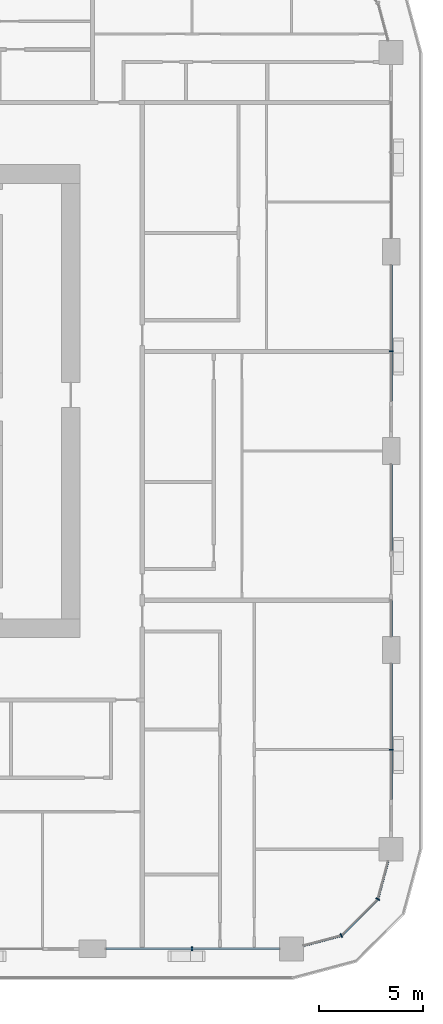
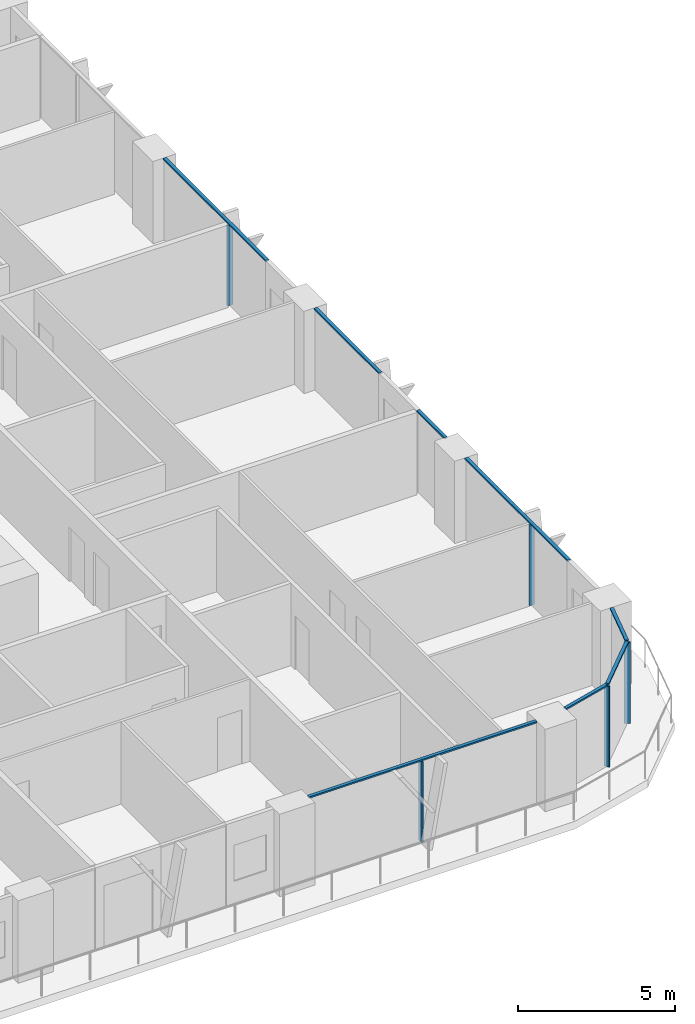
# One storey, part 4 of 22: 13 members, 5 elements without a shape of their own.
"""IFC4 building model written with IfcOpenShell, lengths in metres."""

from ifc_helpers import new_model, si_unit, direction, frame, origin, origin_2d, place, context, subcontext, project, spatial, rectangle, extrude, material, layer, layer_set, material_profile, profile_set, type_object, element, aggregate, save


model = new_model("IFC4")

# Units and contexts
model_context = context("Model", 3, precision=1e-05, world=origin(), true_north=direction((0.0, 1.0)))
body_context = subcontext(model_context, "Body", "Model", "MODEL_VIEW")
ifc_project = project(units=[si_unit("LENGTHUNIT", "METRE"), si_unit("AREAUNIT", "SQUARE_METRE"), si_unit("VOLUMEUNIT", "CUBIC_METRE"), si_unit("PLANEANGLEUNIT", "RADIAN"), si_unit("MASSUNIT", "GRAM", prefix="KILO")], contexts=[model_context])

# Site, building, storey
site_placement = place(None, origin())
site = spatial("IfcSite", under=ifc_project, at=site_placement, CompositionType="ELEMENT")
building_placement = place(site_placement, origin())
building = spatial("IfcBuilding", under=site, at=building_placement, Name="Madar Terraces", CompositionType="ELEMENT")
storey_placement = place(building_placement, frame((0.0, 0.0, 66.300048828125)))
storey = spatial("IfcBuildingStorey", under=building, at=storey_placement, Name="L16", CompositionType="ELEMENT", Elevation=66.300048828125)

# Curtain wall, member
ifc_material_1 = material(Name="Glass, ceramic frit dark grey, with black aluminium frame", Category="aluminium")
ifc_layer = layer(ifc_material_1, 0.199951171875)
ifc_layer_set = layer_set([ifc_layer], Name="Facade curtain wall, fritted glass")
curtain_wall_type = type_object("IfcCurtainWallType", Name="Facade curtain wall, fritted glass", PredefinedType="NOTDEFINED", material=ifc_layer_set)
curtain_wall_1_placement = place(storey_placement, origin())
curtain_wall_1 = element("IfcCurtainWall", 1, at=curtain_wall_1_placement, inside=storey, type_object=curtain_wall_type, Name="Outer skin curtain wall south bay 5", PredefinedType="NOTDEFINED")
ifc_material_2 = material(Name="Aluminium, black anodised", Category="aluminium")
ifc_material_profile_1 = material_profile(ifc_material_2, rectangle(XDim=0.199951171875, YDim=0.06005859375, at=origin_2d()), Name="Facade mullion 60x200")
ifc_profile_set_1 = profile_set([ifc_material_profile_1], Name="Aluminium, black anodised")
member_type_1 = type_object("IfcMemberType", Name="Facade mullion 60x200", PredefinedType="MULLION", material=ifc_profile_set_1)
member_1_placement = place(storey_placement, frame((52.800048828125, 0.0, 0.0), z_axis=(0.0, 0.0, 1.0), x_axis=(0.0, 1.0, 0.0)))
member_1 = element("IfcMember", 2, at=member_1_placement, type_object=member_type_1, Name="Mullion 1", PredefinedType="MULLION", context=body_context, shape_type="SweptSolid", body=[
    extrude(rectangle(XDim=0.199951171875, YDim=0.06005859375, at=origin_2d()), origin(), (0.0, 0.0, 1.0), 3.139892578125),
])

curtain_wall_2_placement = place(storey_placement, origin())
curtain_wall_2 = element("IfcCurtainWall", 3, at=curtain_wall_2_placement, inside=storey, type_object=curtain_wall_type, Name="Outer skin curtain wall east bay 1", PredefinedType="NOTDEFINED")
member_2_placement = place(storey_placement, frame((62.39990234375, 9.60009765625, 0.0), z_axis=(0.0, 0.0, 1.0), x_axis=(-1.0, 0.0, 0.0)))
member_2 = element("IfcMember", 4, at=member_2_placement, type_object=member_type_1, Name="Mullion 1", PredefinedType="MULLION", context=body_context, shape_type="SweptSolid", body=[
    extrude(rectangle(XDim=0.199951171875, YDim=0.06005859375, at=origin_2d()), origin(), (0.0, 0.0, 1.0), 3.139892578125),
])

curtain_wall_3_placement = place(storey_placement, origin())
curtain_wall_3 = element("IfcCurtainWall", 5, at=curtain_wall_3_placement, inside=storey, type_object=curtain_wall_type, Name="Outer skin curtain wall east bay 3", PredefinedType="NOTDEFINED")
member_3_placement = place(storey_placement, frame((62.39990234375, 28.800048828125, 0.0), z_axis=(0.0, 0.0, 1.0), x_axis=(-1.0, 0.0, 0.0)))
member_3 = element("IfcMember", 6, at=member_3_placement, type_object=member_type_1, Name="Mullion 1", PredefinedType="MULLION", context=body_context, shape_type="SweptSolid", body=[
    extrude(rectangle(XDim=0.199951171875, YDim=0.06005859375, at=origin_2d()), origin(), (0.0, 0.0, 1.0), 3.139892578125),
])

# Curtain wall, members
curtain_wall_4_placement = place(storey_placement, origin())
curtain_wall_4 = element("IfcCurtainWall", 7, at=curtain_wall_4_placement, inside=storey, type_object=curtain_wall_type, Name="Outer skin curtain wall south-east corner", PredefinedType="NOTDEFINED")
member_4_placement = place(storey_placement, frame((60.0, 0.64306640625, 0.0), z_axis=(0.0, 0.0, 1.0), x_axis=(-0.499999989586, 0.866025409797, 0.0)))
member_4 = element("IfcMember", 8, at=member_4_placement, type_object=member_type_1, Name="Mullion 1", PredefinedType="MULLION", context=body_context, shape_type="SweptSolid", body=[
    extrude(rectangle(XDim=0.199951171875, YDim=0.06005859375, at=origin_2d()), origin(), (0.0, 0.0, 1.0), 3.139892578125),
])
member_5_placement = place(storey_placement, frame((61.7568359375, 2.39990234375, 0.0), z_axis=(0.0, 0.0, 1.0), x_axis=(-0.866025409797, 0.499999989586, 0.0)))
member_5 = element("IfcMember", 9, at=member_5_placement, type_object=member_type_1, Name="Mullion 2", PredefinedType="MULLION", context=body_context, shape_type="SweptSolid", body=[
    extrude(rectangle(XDim=0.199951171875, YDim=0.06005859375, at=origin_2d()), origin(), (0.0, 0.0, 1.0), 3.139892578125),
])

# Member
ifc_material_3 = material(Name="Aluminium, black anodised", Category="aluminium")
ifc_material_profile_2 = material_profile(ifc_material_3, rectangle(XDim=0.1201171875, YDim=0.06005859375, at=origin_2d()), Name="Facade transom 60x120")
ifc_profile_set_2 = profile_set([ifc_material_profile_2], Name="Aluminium, black anodised")
member_type_2 = type_object("IfcMemberType", Name="Facade transom 60x120", PredefinedType="USERDEFINED", material=ifc_profile_set_2)
member_6_placement = place(storey_placement, frame((48.64990234375, 0.0, 3.169921875), z_axis=(1.0, 0.0, 0.0), x_axis=(0.0, 1.0, 0.0)))
member_6 = element("IfcMember", 10, at=member_6_placement, type_object=member_type_2, Name="Transom 1", ObjectType="TRANSOM", PredefinedType="USERDEFINED", context=body_context, shape_type="SweptSolid", body=[
    extrude(rectangle(XDim=0.1201171875, YDim=0.06005859375, at=origin_2d()), origin(), (0.0, 0.0, 1.0), 8.375),
])

aggregate(curtain_wall_1, [member_1, member_6])

member_7_placement = place(storey_placement, frame((62.39990234375, 7.199951171875, 3.169921875), z_axis=(0.0, 1.0, 0.0), x_axis=(-1.0, 0.0, 0.0)))
member_7 = element("IfcMember", 11, at=member_7_placement, type_object=member_type_2, Name="Transom 1", ObjectType="TRANSOM", PredefinedType="USERDEFINED", context=body_context, shape_type="SweptSolid", body=[
    extrude(rectangle(XDim=0.1201171875, YDim=0.06005859375, at=origin_2d()), origin(), (0.0, 0.0, 1.0), 6.550048828125),
])

aggregate(curtain_wall_2, [member_2, member_7])

# Curtain wall, members
curtain_wall_5_placement = place(storey_placement, origin())
curtain_wall_5 = element("IfcCurtainWall", 12, at=curtain_wall_5_placement, inside=storey, type_object=curtain_wall_type, Name="Outer skin curtain wall east bay 2", PredefinedType="NOTDEFINED")
member_8_placement = place(storey_placement, frame((62.39990234375, 15.050048828125, 3.169921875), z_axis=(0.0, 1.0, 0.0), x_axis=(-1.0, 0.0, 0.0)))
member_8 = element("IfcMember", 13, at=member_8_placement, type_object=member_type_2, Name="Transom 1", ObjectType="TRANSOM", PredefinedType="USERDEFINED", context=body_context, shape_type="SweptSolid", body=[
    extrude(rectangle(XDim=0.1201171875, YDim=0.06005859375, at=origin_2d()), origin(), (0.0, 0.0, 1.0), 1.75),
])
member_9_placement = place(storey_placement, frame((62.39990234375, 19.199951171875, 3.169921875), z_axis=(0.0, 1.0, 0.0), x_axis=(-1.0, 0.0, 0.0)))
member_9 = element("IfcMember", 14, at=member_9_placement, type_object=member_type_2, Name="Transom 2", ObjectType="TRANSOM", PredefinedType="USERDEFINED", context=body_context, shape_type="SweptSolid", body=[
    extrude(rectangle(XDim=0.1201171875, YDim=0.06005859375, at=origin_2d()), origin(), (0.0, 0.0, 1.0), 4.150146484375),
])
aggregate(curtain_wall_5, [member_8, member_9])

# Member
member_10_placement = place(storey_placement, frame((62.39990234375, 26.39990234375, 3.169921875), z_axis=(0.0, 1.0, 0.0), x_axis=(-1.0, 0.0, 0.0)))
member_10 = element("IfcMember", 15, at=member_10_placement, type_object=member_type_2, Name="Transom 1", ObjectType="TRANSOM", PredefinedType="USERDEFINED", context=body_context, shape_type="SweptSolid", body=[
    extrude(rectangle(XDim=0.1201171875, YDim=0.06005859375, at=origin_2d()), origin(), (0.0, 0.0, 1.0), 6.550048828125),
])

aggregate(curtain_wall_3, [member_3, member_10])

member_11_placement = place(storey_placement, frame((58.175048828125, 0.154052734375, 3.169921875), z_axis=(0.965926950947, 0.258814847786, 0.0), x_axis=(-0.258814847786, 0.965926950947, 0.0)))
member_11 = element("IfcMember", 16, at=member_11_placement, type_object=member_type_2, Name="Transom 1", ObjectType="TRANSOM", PredefinedType="USERDEFINED", context=body_context, shape_type="SweptSolid", body=[
    extrude(rectangle(XDim=0.1201171875, YDim=0.06005859375, at=origin_2d()), origin(), (0.0, 0.0, 1.0), 1.859130859375),
])

member_12_placement = place(storey_placement, frame((60.021240234375, 0.664306640625, 3.169921875), z_axis=(0.707056433593, 0.707157125196, 0.0), x_axis=(-0.707157125196, 0.707056433593, 0.0)))
member_12 = element("IfcMember", 17, at=member_12_placement, type_object=member_type_2, Name="Transom 2", ObjectType="TRANSOM", PredefinedType="USERDEFINED", context=body_context, shape_type="SweptSolid", body=[
    extrude(rectangle(XDim=0.1201171875, YDim=0.06005859375, at=origin_2d()), origin(), (0.0, 0.0, 1.0), 2.424560546875),
])

member_13_placement = place(storey_placement, frame((61.7646484375, 2.428955078125, 3.169921875), z_axis=(0.258782024434, 0.965935745187, 0.0), x_axis=(-0.965935745187, 0.258782024434, 0.0)))
member_13 = element("IfcMember", 18, at=member_13_placement, type_object=member_type_2, Name="Transom 3", ObjectType="TRANSOM", PredefinedType="USERDEFINED", context=body_context, shape_type="SweptSolid", body=[
    extrude(rectangle(XDim=0.1201171875, YDim=0.06005859375, at=origin_2d()), origin(), (0.0, 0.0, 1.0), 1.859375),
])

aggregate(curtain_wall_4, [member_4, member_11, member_5, member_12, member_13])

save(model, "model.ifc")
